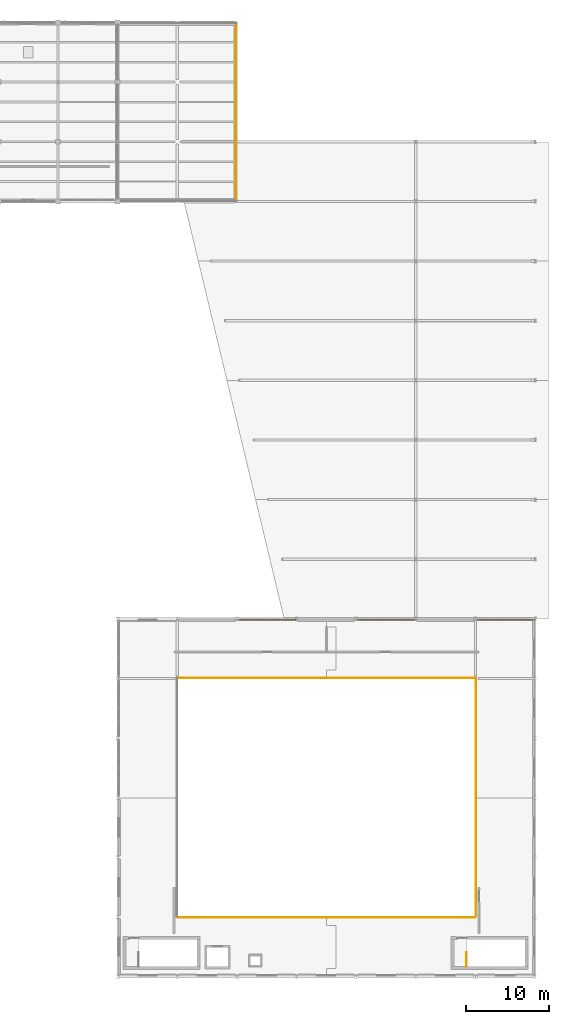
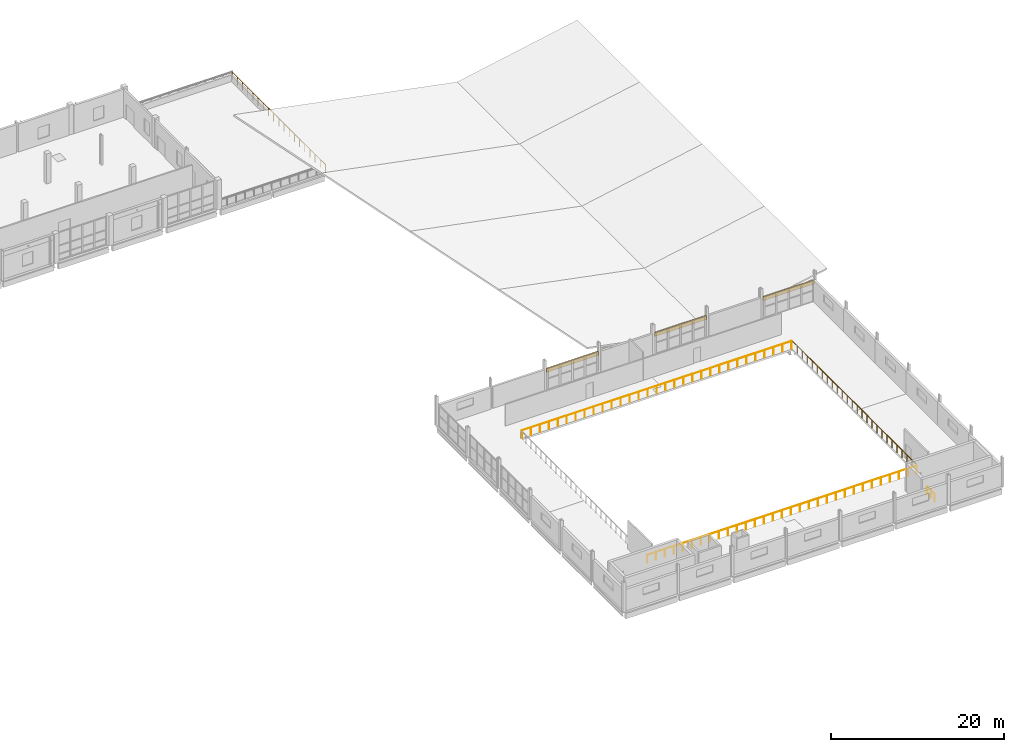
# One storey, part 94 of 94: 5 railings, 3 shading devices.
"""IFC4 building model written with IfcOpenShell, lengths in metres."""

import ifcopenshell
import ifcopenshell.guid

model = None  # the IFC model being written
_history = None  # IfcOwnerHistory: only IFC2X3 demands one
_inside = {}  # id of a spatial element -> (the spatial element, [elements in it])
_under = {}  # id of a project, library or spatial element -> (it, [spatial elements below it])
_declared = {}  # id of a project -> (the project, [libraries it declares])
_typed = {}  # id of a type object -> (the type object, [elements of that type])
_made_of = {}  # id of a material, layer set ... -> (it, [elements and type objects made of it])


def new_model(schema):
    """Start an empty IFC model of exactly this schema.

    Asked for "IFC4X3", IfcOpenShell would pick the latest addendum, in which some entities
    have other attributes; the version numbers below select the first issue.
    IFC2X3 requires an IfcOwnerHistory on every rooted entity: one is made here for all.
    """
    global model, _history
    if schema == "IFC4X3":
        model = ifcopenshell.file(schema_version=(4, 3, 0, 0))
    else:
        model = ifcopenshell.file(schema=schema)
    _inside.clear()
    _under.clear()
    _declared.clear()
    _typed.clear()
    _made_of.clear()
    _history = None
    if model.schema == "IFC2X3":
        org = make("IfcOrganization", Name="unknown")
        user = make(
            "IfcPersonAndOrganization",
            ThePerson=make("IfcPerson", FamilyName="unknown"),
            TheOrganization=org,
        )
        app = make(
            "IfcApplication",
            ApplicationDeveloper=org,
            Version="unknown",
            ApplicationFullName="unknown",
            ApplicationIdentifier="unknown",
        )
        _history = make(
            "IfcOwnerHistory",
            OwningUser=user,
            OwningApplication=app,
            ChangeAction="ADDED",
            CreationDate=0,
        )
    return model


def make(cls, **values):
    """One entity of the class cls with the attributes given. An attribute that is None is left unset."""
    return model.create_entity(
        cls, **{name: value for name, value in values.items() if value is not None}
    )


def rooted(cls, **values):
    """An entity with a GlobalId (a new one), such as an element, a storey or a relation."""
    return make(cls, GlobalId=ifcopenshell.guid.new(), OwnerHistory=_history, **values)


def si_unit(unit_type, name, prefix=None):
    """IfcSIUnit, for example si_unit("LENGTHUNIT", "METRE", prefix="MILLI")."""
    return make("IfcSIUnit", UnitType=unit_type, Prefix=prefix, Name=name)


def assignment(units):
    """IfcUnitAssignment: the units of a project."""
    return None if units is None else make("IfcUnitAssignment", Units=units)


def point(xyz):
    """IfcCartesianPoint."""
    return None if xyz is None else make("IfcCartesianPoint", Coordinates=xyz)


def direction(xyz):
    """IfcDirection."""
    return None if xyz is None else make("IfcDirection", DirectionRatios=xyz)


def frame(location, z_axis=None, x_axis=None):
    """IfcAxis2Placement3D, a coordinate frame: its origin and axes. An axis left out is left unset."""
    return make(
        "IfcAxis2Placement3D",
        Location=point(location),
        Axis=direction(z_axis),
        RefDirection=direction(x_axis),
    )


def frame_2d(location, x_axis=None):
    """IfcAxis2Placement2D, a coordinate frame in the plane: its origin and x axis."""
    return make(
        "IfcAxis2Placement2D", Location=point(location), RefDirection=direction(x_axis)
    )


def origin():
    """The frame at (0, 0, 0) with its axes left unset."""
    return frame((0.0, 0.0, 0.0))


def origin_2d():
    """The frame at (0, 0) in the plane with its x axis left unset."""
    return frame_2d((0.0, 0.0))


def place(relative_to, where):
    """IfcLocalPlacement: puts the frame where relative to a parent placement (None: the world)."""
    return make(
        "IfcLocalPlacement", PlacementRelTo=relative_to, RelativePlacement=where
    )


def context(
    kind, dimensions, precision=None, world=None, true_north=None, identifier=None
):
    """IfcGeometricRepresentationContext, for example the 3D "Model" context."""
    return make(
        "IfcGeometricRepresentationContext",
        ContextIdentifier=identifier,
        ContextType=kind,
        CoordinateSpaceDimension=dimensions,
        Precision=precision,
        WorldCoordinateSystem=world,
        TrueNorth=true_north,
    )


def subcontext(parent, identifier, kind, view, scale=None):
    """IfcGeometricRepresentationSubContext, for example "Body" below "Model"."""
    return make(
        "IfcGeometricRepresentationSubContext",
        ContextIdentifier=identifier,
        ContextType=kind,
        ParentContext=parent,
        TargetScale=scale,
        TargetView=view,
    )


def project(units=None, contexts=None):
    """IfcProject with its units and contexts."""
    return rooted(
        "IfcProject",
        Name="project",
        RepresentationContexts=contexts,
        UnitsInContext=assignment(units),
    )


def spatial(cls, under=None, at=None, **own):
    """A site, building, storey or space (cls), placed at a placement, below another one or the project."""
    s = rooted(cls, ObjectPlacement=at, **own)
    if under is not None:
        _under.setdefault(under.id(), (under, []))[1].append(s)
    return s


def profile(cls, at=None, kind="AREA", **sizes):
    """A parametric profile (cls). Its sizes go by their IFC names, for example OverallWidth=200.0."""
    return make(cls, ProfileType=kind, Position=at, **sizes)


def rectangle(**sizes):
    """IfcRectangleProfileDef."""
    return profile("IfcRectangleProfileDef", **sizes)


def circle(**sizes):
    """IfcCircleProfileDef."""
    return profile("IfcCircleProfileDef", **sizes)


def extrude(swept, where, along, depth):
    """IfcExtrudedAreaSolid: the profile swept, set in the frame where, extruded along a direction by depth."""
    return make(
        "IfcExtrudedAreaSolid",
        SweptArea=swept,
        Position=where,
        ExtrudedDirection=direction(along),
        Depth=depth,
    )


def shape(context_of_items, identifier, shape_type, items):
    """IfcShapeRepresentation: the items that make up one representation, for example the "Body"."""
    return make(
        "IfcShapeRepresentation",
        ContextOfItems=context_of_items,
        RepresentationIdentifier=identifier,
        RepresentationType=shape_type,
        Items=items,
    )


def material(Name=None, Category=None):
    """IfcMaterial."""
    return make("IfcMaterial", Name=Name, Category=Category)


def layer(
    of_material, thickness, ventilated=None, Name=None, Category=None, Priority=None
):
    """IfcMaterialLayer: one layer of a wall or slab, of a material (None: an air gap)."""
    return make(
        "IfcMaterialLayer",
        Material=of_material,
        LayerThickness=thickness,
        IsVentilated=ventilated,
        Name=Name,
        Category=Category,
        Priority=Priority,
    )


def layer_set(layers, Name=None):
    """IfcMaterialLayerSet."""
    return make("IfcMaterialLayerSet", MaterialLayers=layers, LayerSetName=Name)


def made_of(thing, what):
    """Note that an element or type object is made of a material, layer set ...; save() writes the relation."""
    if what is not None:
        _made_of.setdefault(what.id(), (what, []))[1].append(thing)
    return thing


def type_object(cls, material=None, **own):
    """A type object (cls), such as IfcWallType, which elements share."""
    return made_of(rooted(cls, **own), material)


def element(
    cls,
    number,
    at=None,
    inside=None,
    cuts=None,
    type_object=None,
    material=None,
    context=None,
    identifier="Body",
    shape_type=None,
    held_by="IfcProductDefinitionShape",
    body=None,
    shapes=None,
    **own,
):
    """One element of the class cls, such as IfcWall. Its Tag is "e" and its number.

    at: its placement. inside: the storey or other place that contains it. cuts: it is an
    opening in that element (IfcRelVoidsElement). A single representation is given by context,
    identifier, shape_type and body (its items); several are given by shapes. held_by: the class
    of the entity that holds the representations. save() writes the other relations.
    """
    e = rooted(cls, Tag="e%d" % number, ObjectPlacement=at, **own)
    if body is not None:
        shapes = [shape(context, identifier, shape_type, body)]
    if shapes is not None:
        e.Representation = make(held_by, Representations=shapes)
    if inside is not None:
        _inside.setdefault(inside.id(), (inside, []))[1].append(e)
    if cuts is not None:
        rooted(
            "IfcRelVoidsElement", RelatingBuildingElement=cuts, RelatedOpeningElement=e
        )
    if type_object is not None:
        _typed.setdefault(type_object.id(), (type_object, []))[1].append(e)
    return made_of(e, material)


def aggregate(whole, parts):
    """IfcRelAggregates: a whole, such as a stair, and the parts it consists of."""
    return rooted("IfcRelAggregates", RelatingObject=whole, RelatedObjects=parts)


def save(model, path):
    """Write the relations noted so far, then the file.

    IfcRelAggregates (storeys below a building ...), IfcRelContainedInSpatialStructure (elements
    in a storey), IfcRelDefinesByType, IfcRelAssociatesMaterial and IfcRelDeclares: one each for
    every whole, place, type object, material and project.
    """
    for whole, parts in _under.values():
        aggregate(whole, parts)
    for where, things in _inside.values():
        rooted(
            "IfcRelContainedInSpatialStructure",
            RelatedElements=things,
            RelatingStructure=where,
        )
    for kind, things in _typed.values():
        rooted("IfcRelDefinesByType", RelatedObjects=things, RelatingType=kind)
    for what, things in _made_of.values():
        rooted("IfcRelAssociatesMaterial", RelatedObjects=things, RelatingMaterial=what)
    for by, libraries in _declared.values():
        rooted("IfcRelDeclares", RelatingContext=by, RelatedDefinitions=libraries)
    model.write(path)


model = new_model("IFC4")

# Units and contexts
model_context = context("Model", 3, precision=1e-05, world=origin(), true_north=direction((0.0, 1.0)))
body_context = subcontext(model_context, "Body", "Model", "MODEL_VIEW")
ifc_project = project(units=[si_unit("LENGTHUNIT", "METRE"), si_unit("AREAUNIT", "SQUARE_METRE"), si_unit("VOLUMEUNIT", "CUBIC_METRE"), si_unit("PLANEANGLEUNIT", "RADIAN"), si_unit("MASSUNIT", "GRAM", prefix="KILO")], contexts=[model_context])

# Site, building, storey
site_placement = place(None, origin())
site = spatial("IfcSite", under=ifc_project, at=site_placement, CompositionType="ELEMENT")
building_placement = place(site_placement, origin())
building = spatial("IfcBuilding", under=site, at=building_placement, Name="Kalmorath City Hall", CompositionType="ELEMENT")
storey_placement = place(building_placement, frame((0.0, 0.0, 14.699951171875)))
storey = spatial("IfcBuildingStorey", under=building, at=storey_placement, Name="L03", CompositionType="ELEMENT", Elevation=14.699951171875)

# Railings
ifc_material_1 = material(Name="Stainless steel and laminated glass", Category="steel")
railing_type_1 = type_object("IfcRailingType", Name="Atrium and gallery crowd guardrail 1120", PredefinedType="GUARDRAIL", material=ifc_material_1)
railing_1_placement = place(storey_placement, frame((122.449951171875, 36.050048828125, 0.0)))
element("IfcRailing", 1, at=railing_1_placement, inside=storey, type_object=railing_type_1, Name="L03 indoor void guardrail #20", PredefinedType="GUARDRAIL", context=body_context, shape_type="SweptSolid", body=[
    extrude(circle(Radius=0.02392578125, at=origin_2d()), frame((0.0, 0.0, 1.09619140625), z_axis=(1.0, 0.0, 0.0), x_axis=(0.0, 1.0, 0.0)), (0.0, 0.0, 1.0), 35.900146484375),
    extrude(circle(Radius=0.02099609375, at=origin_2d()), origin(), (0.0, 0.0, 1.0), 1.072021484375),
    extrude(circle(Radius=0.02099609375, at=origin_2d()), frame((1.19677734375, 0.0, 0.0)), (0.0, 0.0, 1.0), 1.072021484375),
    extrude(circle(Radius=0.02099609375, at=origin_2d()), frame((2.393310546875, 0.0, 0.0)), (0.0, 0.0, 1.0), 1.072021484375),
    extrude(circle(Radius=0.02099609375, at=origin_2d()), frame((3.590087890625, 0.0, 0.0)), (0.0, 0.0, 1.0), 1.072021484375),
    extrude(circle(Radius=0.02099609375, at=origin_2d()), frame((4.78662109375, 0.0, 0.0)), (0.0, 0.0, 1.0), 1.072021484375),
    extrude(circle(Radius=0.02099609375, at=origin_2d()), frame((5.9833984375, 0.0, 0.0)), (0.0, 0.0, 1.0), 1.072021484375),
    extrude(circle(Radius=0.02099609375, at=origin_2d()), frame((7.179931640625, 0.0, 0.0)), (0.0, 0.0, 1.0), 1.072021484375),
    extrude(circle(Radius=0.02099609375, at=origin_2d()), frame((8.376708984375, 0.0, 0.0)), (0.0, 0.0, 1.0), 1.072021484375),
    extrude(circle(Radius=0.02099609375, at=origin_2d()), frame((9.573486328125, 0.0, 0.0)), (0.0, 0.0, 1.0), 1.072021484375),
    extrude(circle(Radius=0.02099609375, at=origin_2d()), frame((10.77001953125, 0.0, 0.0)), (0.0, 0.0, 1.0), 1.072021484375),
    extrude(circle(Radius=0.02099609375, at=origin_2d()), frame((11.966796875, 0.0, 0.0)), (0.0, 0.0, 1.0), 1.072021484375),
    extrude(circle(Radius=0.02099609375, at=origin_2d()), frame((13.163330078125, 0.0, 0.0)), (0.0, 0.0, 1.0), 1.072021484375),
    extrude(circle(Radius=0.02099609375, at=origin_2d()), frame((14.360107421875, 0.0, 0.0)), (0.0, 0.0, 1.0), 1.072021484375),
    extrude(circle(Radius=0.02099609375, at=origin_2d()), frame((15.556640625, 0.0, 0.0)), (0.0, 0.0, 1.0), 1.072021484375),
    extrude(circle(Radius=0.02099609375, at=origin_2d()), frame((16.75341796875, 0.0, 0.0)), (0.0, 0.0, 1.0), 1.072021484375),
    extrude(circle(Radius=0.02099609375, at=origin_2d()), frame((17.9501953125, 0.0, 0.0)), (0.0, 0.0, 1.0), 1.072021484375),
    extrude(circle(Radius=0.02099609375, at=origin_2d()), frame((19.146728515625, 0.0, 0.0)), (0.0, 0.0, 1.0), 1.072021484375),
    extrude(circle(Radius=0.02099609375, at=origin_2d()), frame((20.343505859375, 0.0, 0.0)), (0.0, 0.0, 1.0), 1.072021484375),
    extrude(circle(Radius=0.02099609375, at=origin_2d()), frame((21.5400390625, 0.0, 0.0)), (0.0, 0.0, 1.0), 1.072021484375),
    extrude(circle(Radius=0.02099609375, at=origin_2d()), frame((22.73681640625, 0.0, 0.0)), (0.0, 0.0, 1.0), 1.072021484375),
    extrude(circle(Radius=0.02099609375, at=origin_2d()), frame((23.933349609375, 0.0, 0.0)), (0.0, 0.0, 1.0), 1.072021484375),
    extrude(circle(Radius=0.02099609375, at=origin_2d()), frame((25.130126953125, 0.0, 0.0)), (0.0, 0.0, 1.0), 1.072021484375),
    extrude(circle(Radius=0.02099609375, at=origin_2d()), frame((26.32666015625, 0.0, 0.0)), (0.0, 0.0, 1.0), 1.072021484375),
    extrude(circle(Radius=0.02099609375, at=origin_2d()), frame((27.5234375, 0.0, 0.0)), (0.0, 0.0, 1.0), 1.072021484375),
    extrude(circle(Radius=0.02099609375, at=origin_2d()), frame((28.72021484375, 0.0, 0.0)), (0.0, 0.0, 1.0), 1.072021484375),
    extrude(circle(Radius=0.02099609375, at=origin_2d()), frame((29.916748046875, 0.0, 0.0)), (0.0, 0.0, 1.0), 1.072021484375),
    extrude(circle(Radius=0.02099609375, at=origin_2d()), frame((31.113525390625, 0.0, 0.0)), (0.0, 0.0, 1.0), 1.072021484375),
    extrude(circle(Radius=0.02099609375, at=origin_2d()), frame((32.31005859375, 0.0, 0.0)), (0.0, 0.0, 1.0), 1.072021484375),
    extrude(circle(Radius=0.02099609375, at=origin_2d()), frame((33.5068359375, 0.0, 0.0)), (0.0, 0.0, 1.0), 1.072021484375),
    extrude(circle(Radius=0.02099609375, at=origin_2d()), frame((34.703369140625, 0.0, 0.0)), (0.0, 0.0, 1.0), 1.072021484375),
    extrude(circle(Radius=0.02099609375, at=origin_2d()), frame((35.900146484375, 0.0, 0.0)), (0.0, 0.0, 1.0), 1.072021484375),
])
railing_2_placement = place(storey_placement, frame((158.449951171875, 7.25, 0.0)))
element("IfcRailing", 2, at=railing_2_placement, inside=storey, type_object=railing_type_1, Name="L03 indoor void guardrail #22", PredefinedType="GUARDRAIL", context=body_context, shape_type="SweptSolid", body=[
    extrude(circle(Radius=0.02392578125, at=origin_2d()), frame((0.0, 0.0, 1.09619140625), z_axis=(0.0, 1.0, 0.0), x_axis=(-1.0, 0.0, 0.0)), (0.0, 0.0, 1.0), 28.800048828125),
    extrude(circle(Radius=0.02099609375, at=origin_2d()), origin(), (0.0, 0.0, 1.0), 1.072021484375),
    extrude(circle(Radius=0.02099609375, at=origin_2d()), frame((0.0, 1.152099609375, 0.0)), (0.0, 0.0, 1.0), 1.072021484375),
    extrude(circle(Radius=0.02099609375, at=origin_2d()), frame((0.0, 2.303955078125, 0.0)), (0.0, 0.0, 1.0), 1.072021484375),
    extrude(circle(Radius=0.02099609375, at=origin_2d()), frame((0.0, 3.4560546875, 0.0)), (0.0, 0.0, 1.0), 1.072021484375),
    extrude(circle(Radius=0.02099609375, at=origin_2d()), frame((0.0, 4.60791015625, 0.0)), (0.0, 0.0, 1.0), 1.072021484375),
    extrude(circle(Radius=0.02099609375, at=origin_2d()), frame((0.0, 5.760009765625, 0.0)), (0.0, 0.0, 1.0), 1.072021484375),
    extrude(circle(Radius=0.02099609375, at=origin_2d()), frame((0.0, 6.912109375, 0.0)), (0.0, 0.0, 1.0), 1.072021484375),
    extrude(circle(Radius=0.02099609375, at=origin_2d()), frame((0.0, 8.06396484375, 0.0)), (0.0, 0.0, 1.0), 1.072021484375),
    extrude(circle(Radius=0.02099609375, at=origin_2d()), frame((0.0, 9.216064453125, 0.0)), (0.0, 0.0, 1.0), 1.072021484375),
    extrude(circle(Radius=0.02099609375, at=origin_2d()), frame((0.0, 10.367919921875, 0.0)), (0.0, 0.0, 1.0), 1.072021484375),
    extrude(circle(Radius=0.02099609375, at=origin_2d()), frame((0.0, 11.52001953125, 0.0)), (0.0, 0.0, 1.0), 1.072021484375),
    extrude(circle(Radius=0.02099609375, at=origin_2d()), frame((0.0, 12.672119140625, 0.0)), (0.0, 0.0, 1.0), 1.072021484375),
    extrude(circle(Radius=0.02099609375, at=origin_2d()), frame((0.0, 13.823974609375, 0.0)), (0.0, 0.0, 1.0), 1.072021484375),
    extrude(circle(Radius=0.02099609375, at=origin_2d()), frame((0.0, 14.97607421875, 0.0)), (0.0, 0.0, 1.0), 1.072021484375),
    extrude(circle(Radius=0.02099609375, at=origin_2d()), frame((0.0, 16.1279296875, 0.0)), (0.0, 0.0, 1.0), 1.072021484375),
    extrude(circle(Radius=0.02099609375, at=origin_2d()), frame((0.0, 17.280029296875, 0.0)), (0.0, 0.0, 1.0), 1.072021484375),
    extrude(circle(Radius=0.02099609375, at=origin_2d()), frame((0.0, 18.43212890625, 0.0)), (0.0, 0.0, 1.0), 1.072021484375),
    extrude(circle(Radius=0.02099609375, at=origin_2d()), frame((0.0, 19.583984375, 0.0)), (0.0, 0.0, 1.0), 1.072021484375),
    extrude(circle(Radius=0.02099609375, at=origin_2d()), frame((0.0, 20.736083984375, 0.0)), (0.0, 0.0, 1.0), 1.072021484375),
    extrude(circle(Radius=0.02099609375, at=origin_2d()), frame((0.0, 21.887939453125, 0.0)), (0.0, 0.0, 1.0), 1.072021484375),
    extrude(circle(Radius=0.02099609375, at=origin_2d()), frame((0.0, 23.0400390625, 0.0)), (0.0, 0.0, 1.0), 1.072021484375),
    extrude(circle(Radius=0.02099609375, at=origin_2d()), frame((0.0, 24.192138671875, 0.0)), (0.0, 0.0, 1.0), 1.072021484375),
    extrude(circle(Radius=0.02099609375, at=origin_2d()), frame((0.0, 25.343994140625, 0.0)), (0.0, 0.0, 1.0), 1.072021484375),
    extrude(circle(Radius=0.02099609375, at=origin_2d()), frame((0.0, 26.49609375, 0.0)), (0.0, 0.0, 1.0), 1.072021484375),
    extrude(circle(Radius=0.02099609375, at=origin_2d()), frame((0.0, 27.64794921875, 0.0)), (0.0, 0.0, 1.0), 1.072021484375),
    extrude(circle(Radius=0.02099609375, at=origin_2d()), frame((0.0, 28.800048828125, 0.0)), (0.0, 0.0, 1.0), 1.072021484375),
])
railing_3_placement = place(storey_placement, frame((122.449951171875, 7.14990234375, 0.0)))
element("IfcRailing", 3, at=railing_3_placement, inside=storey, type_object=railing_type_1, Name="L03 indoor void guardrail #23", PredefinedType="GUARDRAIL", context=body_context, shape_type="SweptSolid", body=[
    extrude(circle(Radius=0.02392578125, at=origin_2d()), frame((0.0, 0.0, 1.09619140625), z_axis=(1.0, 0.0, 0.0), x_axis=(0.0, 1.0, 0.0)), (0.0, 0.0, 1.0), 35.900146484375),
    extrude(circle(Radius=0.02099609375, at=origin_2d()), origin(), (0.0, 0.0, 1.0), 1.072021484375),
    extrude(circle(Radius=0.02099609375, at=origin_2d()), frame((1.19677734375, 0.0, 0.0)), (0.0, 0.0, 1.0), 1.072021484375),
    extrude(circle(Radius=0.02099609375, at=origin_2d()), frame((2.393310546875, 0.0, 0.0)), (0.0, 0.0, 1.0), 1.072021484375),
    extrude(circle(Radius=0.02099609375, at=origin_2d()), frame((3.590087890625, 0.0, 0.0)), (0.0, 0.0, 1.0), 1.072021484375),
    extrude(circle(Radius=0.02099609375, at=origin_2d()), frame((4.78662109375, 0.0, 0.0)), (0.0, 0.0, 1.0), 1.072021484375),
    extrude(circle(Radius=0.02099609375, at=origin_2d()), frame((5.9833984375, 0.0, 0.0)), (0.0, 0.0, 1.0), 1.072021484375),
    extrude(circle(Radius=0.02099609375, at=origin_2d()), frame((7.179931640625, 0.0, 0.0)), (0.0, 0.0, 1.0), 1.072021484375),
    extrude(circle(Radius=0.02099609375, at=origin_2d()), frame((8.376708984375, 0.0, 0.0)), (0.0, 0.0, 1.0), 1.072021484375),
    extrude(circle(Radius=0.02099609375, at=origin_2d()), frame((9.573486328125, 0.0, 0.0)), (0.0, 0.0, 1.0), 1.072021484375),
    extrude(circle(Radius=0.02099609375, at=origin_2d()), frame((10.77001953125, 0.0, 0.0)), (0.0, 0.0, 1.0), 1.072021484375),
    extrude(circle(Radius=0.02099609375, at=origin_2d()), frame((11.966796875, 0.0, 0.0)), (0.0, 0.0, 1.0), 1.072021484375),
    extrude(circle(Radius=0.02099609375, at=origin_2d()), frame((13.163330078125, 0.0, 0.0)), (0.0, 0.0, 1.0), 1.072021484375),
    extrude(circle(Radius=0.02099609375, at=origin_2d()), frame((14.360107421875, 0.0, 0.0)), (0.0, 0.0, 1.0), 1.072021484375),
    extrude(circle(Radius=0.02099609375, at=origin_2d()), frame((15.556640625, 0.0, 0.0)), (0.0, 0.0, 1.0), 1.072021484375),
    extrude(circle(Radius=0.02099609375, at=origin_2d()), frame((16.75341796875, 0.0, 0.0)), (0.0, 0.0, 1.0), 1.072021484375),
    extrude(circle(Radius=0.02099609375, at=origin_2d()), frame((17.9501953125, 0.0, 0.0)), (0.0, 0.0, 1.0), 1.072021484375),
    extrude(circle(Radius=0.02099609375, at=origin_2d()), frame((19.146728515625, 0.0, 0.0)), (0.0, 0.0, 1.0), 1.072021484375),
    extrude(circle(Radius=0.02099609375, at=origin_2d()), frame((20.343505859375, 0.0, 0.0)), (0.0, 0.0, 1.0), 1.072021484375),
    extrude(circle(Radius=0.02099609375, at=origin_2d()), frame((21.5400390625, 0.0, 0.0)), (0.0, 0.0, 1.0), 1.072021484375),
    extrude(circle(Radius=0.02099609375, at=origin_2d()), frame((22.73681640625, 0.0, 0.0)), (0.0, 0.0, 1.0), 1.072021484375),
    extrude(circle(Radius=0.02099609375, at=origin_2d()), frame((23.933349609375, 0.0, 0.0)), (0.0, 0.0, 1.0), 1.072021484375),
    extrude(circle(Radius=0.02099609375, at=origin_2d()), frame((25.130126953125, 0.0, 0.0)), (0.0, 0.0, 1.0), 1.072021484375),
    extrude(circle(Radius=0.02099609375, at=origin_2d()), frame((26.32666015625, 0.0, 0.0)), (0.0, 0.0, 1.0), 1.072021484375),
    extrude(circle(Radius=0.02099609375, at=origin_2d()), frame((27.5234375, 0.0, 0.0)), (0.0, 0.0, 1.0), 1.072021484375),
    extrude(circle(Radius=0.02099609375, at=origin_2d()), frame((28.72021484375, 0.0, 0.0)), (0.0, 0.0, 1.0), 1.072021484375),
    extrude(circle(Radius=0.02099609375, at=origin_2d()), frame((29.916748046875, 0.0, 0.0)), (0.0, 0.0, 1.0), 1.072021484375),
    extrude(circle(Radius=0.02099609375, at=origin_2d()), frame((31.113525390625, 0.0, 0.0)), (0.0, 0.0, 1.0), 1.072021484375),
    extrude(circle(Radius=0.02099609375, at=origin_2d()), frame((32.31005859375, 0.0, 0.0)), (0.0, 0.0, 1.0), 1.072021484375),
    extrude(circle(Radius=0.02099609375, at=origin_2d()), frame((33.5068359375, 0.0, 0.0)), (0.0, 0.0, 1.0), 1.072021484375),
    extrude(circle(Radius=0.02099609375, at=origin_2d()), frame((34.703369140625, 0.0, 0.0)), (0.0, 0.0, 1.0), 1.072021484375),
    extrude(circle(Radius=0.02099609375, at=origin_2d()), frame((35.900146484375, 0.0, 0.0)), (0.0, 0.0, 1.0), 1.072021484375),
])

# Shading devices
ifc_material_2 = material(Name="Bronze anodised storm louvre")
ifc_layer = layer(ifc_material_2, 0.139892578125)
ifc_layer_set = layer_set([ifc_layer], Name="Bronze anodised storm louvre")
shading_device_type = type_object("IfcShadingDeviceType", Name="Hurricane bronze storm louvre bank", PredefinedType="JALOUSIE", material=ifc_layer_set)
for number, where, z_axis, x_axis, name in (
    (4, (133.228271484375, 43.10009765625, 2.447265625), (0.0, 0.0, 1.0), (1.0, 0.0, 0.0), "L03 library storm louvre #365"),
    (5, (147.62841796875, 43.10009765625, 2.447265625), (0.0, 0.0, 1.0), (1.0, 0.0, 0.0), "L03 library storm louvre #366"),
    (6, (162.0283203125, 43.10009765625, 2.44287109375), (0.0, 0.0, 1.0), (1.0, 0.0, 0.0), "L03 library storm louvre #367"),
):
    element("IfcShadingDevice", number, at=place(storey_placement, frame(where, z_axis=z_axis, x_axis=x_axis)), inside=storey, type_object=shading_device_type, Name=name, PredefinedType="JALOUSIE", context=body_context, shape_type="SweptSolid", body=[
        extrude(rectangle(XDim=6.885498046875, YDim=0.139892578125, at=origin_2d()), origin(), (0.0, 0.0, 1.0), 0.550048828125),
    ])

# Railings
ifc_material_3 = material(Name="Stainless steel and laminated glass", Category="steel")
railing_type_2 = type_object("IfcRailingType", Name="Outdoor terrace balustrade 1120", PredefinedType="BALUSTRADE", material=ifc_material_3)
railing_4_placement = place(storey_placement, frame((129.550048828125, 93.64990234375, 0.0)))
element("IfcRailing", 7, at=railing_4_placement, inside=storey, type_object=railing_type_2, Name="L03 Committee East Roof Terrace balustrade #6", PredefinedType="BALUSTRADE", context=body_context, shape_type="SweptSolid", body=[
    extrude(circle(Radius=0.02392578125, at=origin_2d()), frame((0.0, 0.0, 1.09619140625), z_axis=(0.0, 1.0, 0.0), x_axis=(-1.0, 0.0, 0.0)), (0.0, 0.0, 1.0), 21.5),
    extrude(circle(Radius=0.02099609375, at=origin_2d()), origin(), (0.0, 0.0, 1.0), 1.072021484375),
    extrude(circle(Radius=0.02099609375, at=origin_2d()), frame((0.0, 1.1943359375, 0.0)), (0.0, 0.0, 1.0), 1.072021484375),
    extrude(circle(Radius=0.02099609375, at=origin_2d()), frame((0.0, 2.388916015625, 0.0)), (0.0, 0.0, 1.0), 1.072021484375),
    extrude(circle(Radius=0.02099609375, at=origin_2d()), frame((0.0, 3.583251953125, 0.0)), (0.0, 0.0, 1.0), 1.072021484375),
    extrude(circle(Radius=0.02099609375, at=origin_2d()), frame((0.0, 4.77783203125, 0.0)), (0.0, 0.0, 1.0), 1.072021484375),
    extrude(circle(Radius=0.02099609375, at=origin_2d()), frame((0.0, 5.97216796875, 0.0)), (0.0, 0.0, 1.0), 1.072021484375),
    extrude(circle(Radius=0.02099609375, at=origin_2d()), frame((0.0, 7.166748046875, 0.0)), (0.0, 0.0, 1.0), 1.072021484375),
    extrude(circle(Radius=0.02099609375, at=origin_2d()), frame((0.0, 8.361083984375, 0.0)), (0.0, 0.0, 1.0), 1.072021484375),
    extrude(circle(Radius=0.02099609375, at=origin_2d()), frame((0.0, 9.5556640625, 0.0)), (0.0, 0.0, 1.0), 1.072021484375),
    extrude(circle(Radius=0.02099609375, at=origin_2d()), frame((0.0, 10.75, 0.0)), (0.0, 0.0, 1.0), 1.072021484375),
    extrude(circle(Radius=0.02099609375, at=origin_2d()), frame((0.0, 11.9443359375, 0.0)), (0.0, 0.0, 1.0), 1.072021484375),
    extrude(circle(Radius=0.02099609375, at=origin_2d()), frame((0.0, 13.138916015625, 0.0)), (0.0, 0.0, 1.0), 1.072021484375),
    extrude(circle(Radius=0.02099609375, at=origin_2d()), frame((0.0, 14.333251953125, 0.0)), (0.0, 0.0, 1.0), 1.072021484375),
    extrude(circle(Radius=0.02099609375, at=origin_2d()), frame((0.0, 15.52783203125, 0.0)), (0.0, 0.0, 1.0), 1.072021484375),
    extrude(circle(Radius=0.02099609375, at=origin_2d()), frame((0.0, 16.72216796875, 0.0)), (0.0, 0.0, 1.0), 1.072021484375),
    extrude(circle(Radius=0.02099609375, at=origin_2d()), frame((0.0, 17.916748046875, 0.0)), (0.0, 0.0, 1.0), 1.072021484375),
    extrude(circle(Radius=0.02099609375, at=origin_2d()), frame((0.0, 19.111083984375, 0.0)), (0.0, 0.0, 1.0), 1.072021484375),
    extrude(circle(Radius=0.02099609375, at=origin_2d()), frame((0.0, 20.3056640625, 0.0)), (0.0, 0.0, 1.0), 1.072021484375),
    extrude(circle(Radius=0.02099609375, at=origin_2d()), frame((0.0, 21.5, 0.0)), (0.0, 0.0, 1.0), 1.072021484375),
])
ifc_material_4 = material(Name="Painted steel guardrail", Category="steel")
railing_type_3 = type_object("IfcRailingType", Name="Protected stair guardrail 1100", PredefinedType="GUARDRAIL", material=ifc_material_4)
railing_5_placement = place(storey_placement, frame((157.300048828125, 1.199951171875, 0.0)))
element("IfcRailing", 8, at=railing_5_placement, inside=storey, type_object=railing_type_3, Name="L03 ST-7 top well guard 1", PredefinedType="GUARDRAIL", context=body_context, shape_type="SweptSolid", body=[
    extrude(circle(Radius=0.02392578125, at=origin_2d()), frame((0.0, 0.0, 1.076171875), z_axis=(0.0, 1.0, 0.0), x_axis=(-1.0, 0.0, 0.0)), (0.0, 0.0, 1.0), 1.75),
    extrude(circle(Radius=0.02099609375, at=origin_2d()), origin(), (0.0, 0.0, 1.0), 1.052001953125),
    extrude(circle(Radius=0.02099609375, at=origin_2d()), frame((0.0, 0.875, 0.0)), (0.0, 0.0, 1.0), 1.052001953125),
    extrude(circle(Radius=0.02099609375, at=origin_2d()), frame((0.0, 1.75, 0.0)), (0.0, 0.0, 1.0), 1.052001953125),
])

save(model, "model.ifc")
